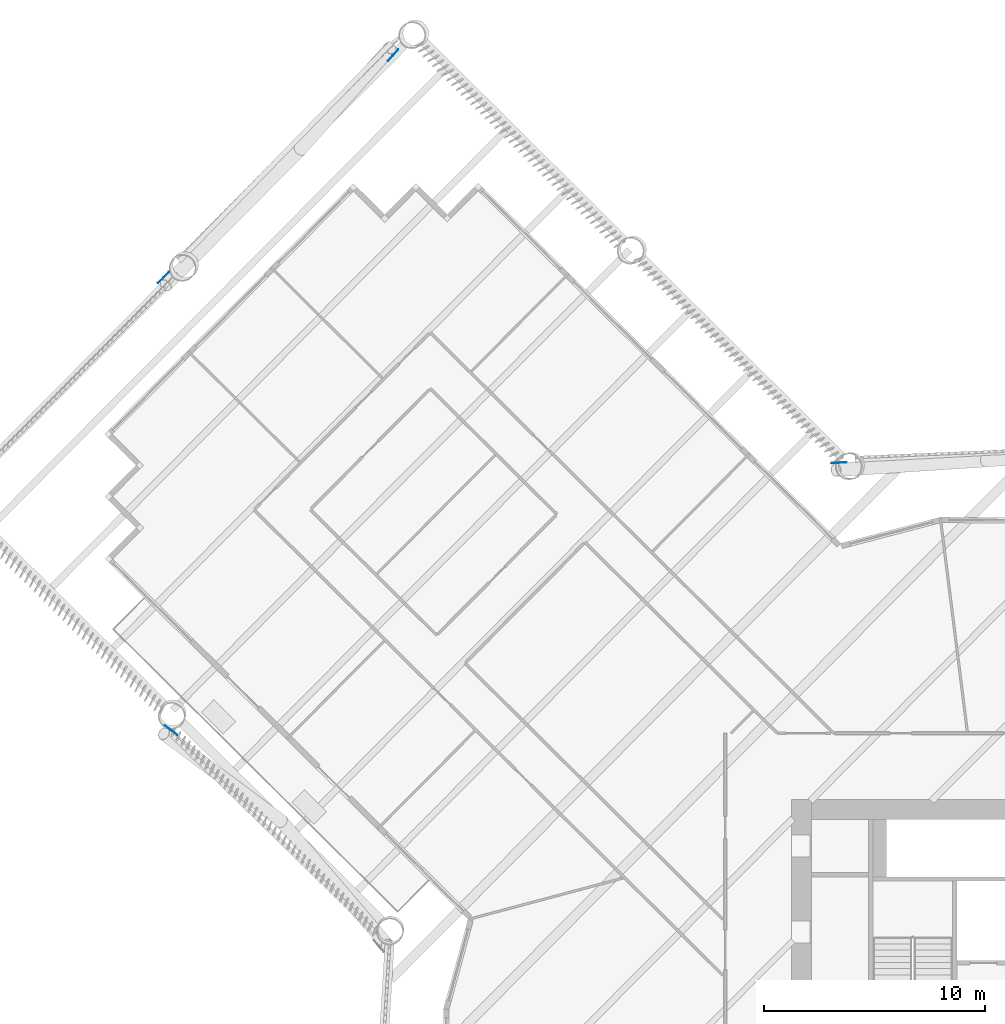
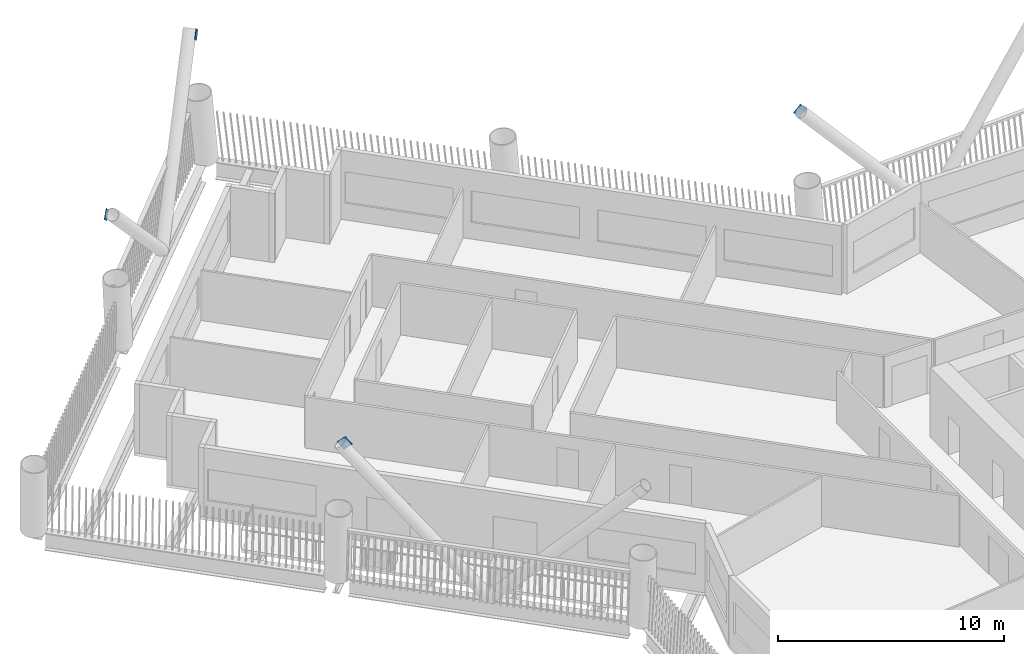
# One storey, part 13 of 22: 4 discrete accessories.
"""IFC4 building model written with IfcOpenShell, lengths in metres."""

import ifcopenshell
import ifcopenshell.guid

model = None  # the IFC model being written
_history = None  # IfcOwnerHistory: only IFC2X3 demands one
_inside = {}  # id of a spatial element -> (the spatial element, [elements in it])
_under = {}  # id of a project, library or spatial element -> (it, [spatial elements below it])
_declared = {}  # id of a project -> (the project, [libraries it declares])
_typed = {}  # id of a type object -> (the type object, [elements of that type])
_made_of = {}  # id of a material, layer set ... -> (it, [elements and type objects made of it])


def new_model(schema):
    """Start an empty IFC model of exactly this schema.

    Asked for "IFC4X3", IfcOpenShell would pick the latest addendum, in which some entities
    have other attributes; the version numbers below select the first issue.
    IFC2X3 requires an IfcOwnerHistory on every rooted entity: one is made here for all.
    """
    global model, _history
    if schema == "IFC4X3":
        model = ifcopenshell.file(schema_version=(4, 3, 0, 0))
    else:
        model = ifcopenshell.file(schema=schema)
    _inside.clear()
    _under.clear()
    _declared.clear()
    _typed.clear()
    _made_of.clear()
    _history = None
    if model.schema == "IFC2X3":
        org = make("IfcOrganization", Name="unknown")
        user = make(
            "IfcPersonAndOrganization",
            ThePerson=make("IfcPerson", FamilyName="unknown"),
            TheOrganization=org,
        )
        app = make(
            "IfcApplication",
            ApplicationDeveloper=org,
            Version="unknown",
            ApplicationFullName="unknown",
            ApplicationIdentifier="unknown",
        )
        _history = make(
            "IfcOwnerHistory",
            OwningUser=user,
            OwningApplication=app,
            ChangeAction="ADDED",
            CreationDate=0,
        )
    return model


def make(cls, **values):
    """One entity of the class cls with the attributes given. An attribute that is None is left unset."""
    return model.create_entity(
        cls, **{name: value for name, value in values.items() if value is not None}
    )


def rooted(cls, **values):
    """An entity with a GlobalId (a new one), such as an element, a storey or a relation."""
    return make(cls, GlobalId=ifcopenshell.guid.new(), OwnerHistory=_history, **values)


def si_unit(unit_type, name, prefix=None):
    """IfcSIUnit, for example si_unit("LENGTHUNIT", "METRE", prefix="MILLI")."""
    return make("IfcSIUnit", UnitType=unit_type, Prefix=prefix, Name=name)


def assignment(units):
    """IfcUnitAssignment: the units of a project."""
    return None if units is None else make("IfcUnitAssignment", Units=units)


def point(xyz):
    """IfcCartesianPoint."""
    return None if xyz is None else make("IfcCartesianPoint", Coordinates=xyz)


def direction(xyz):
    """IfcDirection."""
    return None if xyz is None else make("IfcDirection", DirectionRatios=xyz)


def frame(location, z_axis=None, x_axis=None):
    """IfcAxis2Placement3D, a coordinate frame: its origin and axes. An axis left out is left unset."""
    return make(
        "IfcAxis2Placement3D",
        Location=point(location),
        Axis=direction(z_axis),
        RefDirection=direction(x_axis),
    )


def frame_2d(location, x_axis=None):
    """IfcAxis2Placement2D, a coordinate frame in the plane: its origin and x axis."""
    return make(
        "IfcAxis2Placement2D", Location=point(location), RefDirection=direction(x_axis)
    )


def origin():
    """The frame at (0, 0, 0) with its axes left unset."""
    return frame((0.0, 0.0, 0.0))


def origin_2d():
    """The frame at (0, 0) in the plane with its x axis left unset."""
    return frame_2d((0.0, 0.0))


def place(relative_to, where):
    """IfcLocalPlacement: puts the frame where relative to a parent placement (None: the world)."""
    return make(
        "IfcLocalPlacement", PlacementRelTo=relative_to, RelativePlacement=where
    )


def context(
    kind, dimensions, precision=None, world=None, true_north=None, identifier=None
):
    """IfcGeometricRepresentationContext, for example the 3D "Model" context."""
    return make(
        "IfcGeometricRepresentationContext",
        ContextIdentifier=identifier,
        ContextType=kind,
        CoordinateSpaceDimension=dimensions,
        Precision=precision,
        WorldCoordinateSystem=world,
        TrueNorth=true_north,
    )


def subcontext(parent, identifier, kind, view, scale=None):
    """IfcGeometricRepresentationSubContext, for example "Body" below "Model"."""
    return make(
        "IfcGeometricRepresentationSubContext",
        ContextIdentifier=identifier,
        ContextType=kind,
        ParentContext=parent,
        TargetScale=scale,
        TargetView=view,
    )


def project(units=None, contexts=None):
    """IfcProject with its units and contexts."""
    return rooted(
        "IfcProject",
        Name="project",
        RepresentationContexts=contexts,
        UnitsInContext=assignment(units),
    )


def spatial(cls, under=None, at=None, **own):
    """A site, building, storey or space (cls), placed at a placement, below another one or the project."""
    s = rooted(cls, ObjectPlacement=at, **own)
    if under is not None:
        _under.setdefault(under.id(), (under, []))[1].append(s)
    return s


def profile(cls, at=None, kind="AREA", **sizes):
    """A parametric profile (cls). Its sizes go by their IFC names, for example OverallWidth=200.0."""
    return make(cls, ProfileType=kind, Position=at, **sizes)


def rectangle(**sizes):
    """IfcRectangleProfileDef."""
    return profile("IfcRectangleProfileDef", **sizes)


def extrude(swept, where, along, depth):
    """IfcExtrudedAreaSolid: the profile swept, set in the frame where, extruded along a direction by depth."""
    return make(
        "IfcExtrudedAreaSolid",
        SweptArea=swept,
        Position=where,
        ExtrudedDirection=direction(along),
        Depth=depth,
    )


def shape(context_of_items, identifier, shape_type, items):
    """IfcShapeRepresentation: the items that make up one representation, for example the "Body"."""
    return make(
        "IfcShapeRepresentation",
        ContextOfItems=context_of_items,
        RepresentationIdentifier=identifier,
        RepresentationType=shape_type,
        Items=items,
    )


def material(Name=None, Category=None):
    """IfcMaterial."""
    return make("IfcMaterial", Name=Name, Category=Category)


def material_profile(
    of_material, cross_section, Name=None, Category=None, Priority=None
):
    """IfcMaterialProfile: a cross section and its material."""
    return make(
        "IfcMaterialProfile",
        Name=Name,
        Material=of_material,
        Profile=cross_section,
        Priority=Priority,
        Category=Category,
    )


def profile_set(profiles, Name=None, composite=None):
    """IfcMaterialProfileSet."""
    return make(
        "IfcMaterialProfileSet",
        Name=Name,
        MaterialProfiles=profiles,
        CompositeProfile=composite,
    )


def made_of(thing, what):
    """Note that an element or type object is made of a material, layer set ...; save() writes the relation."""
    if what is not None:
        _made_of.setdefault(what.id(), (what, []))[1].append(thing)
    return thing


def type_object(cls, material=None, **own):
    """A type object (cls), such as IfcWallType, which elements share."""
    return made_of(rooted(cls, **own), material)


def element(
    cls,
    number,
    at=None,
    inside=None,
    cuts=None,
    type_object=None,
    material=None,
    context=None,
    identifier="Body",
    shape_type=None,
    held_by="IfcProductDefinitionShape",
    body=None,
    shapes=None,
    **own,
):
    """One element of the class cls, such as IfcWall. Its Tag is "e" and its number.

    at: its placement. inside: the storey or other place that contains it. cuts: it is an
    opening in that element (IfcRelVoidsElement). A single representation is given by context,
    identifier, shape_type and body (its items); several are given by shapes. held_by: the class
    of the entity that holds the representations. save() writes the other relations.
    """
    e = rooted(cls, Tag="e%d" % number, ObjectPlacement=at, **own)
    if body is not None:
        shapes = [shape(context, identifier, shape_type, body)]
    if shapes is not None:
        e.Representation = make(held_by, Representations=shapes)
    if inside is not None:
        _inside.setdefault(inside.id(), (inside, []))[1].append(e)
    if cuts is not None:
        rooted(
            "IfcRelVoidsElement", RelatingBuildingElement=cuts, RelatedOpeningElement=e
        )
    if type_object is not None:
        _typed.setdefault(type_object.id(), (type_object, []))[1].append(e)
    return made_of(e, material)


def aggregate(whole, parts):
    """IfcRelAggregates: a whole, such as a stair, and the parts it consists of."""
    return rooted("IfcRelAggregates", RelatingObject=whole, RelatedObjects=parts)


def save(model, path):
    """Write the relations noted so far, then the file.

    IfcRelAggregates (storeys below a building ...), IfcRelContainedInSpatialStructure (elements
    in a storey), IfcRelDefinesByType, IfcRelAssociatesMaterial and IfcRelDeclares: one each for
    every whole, place, type object, material and project.
    """
    for whole, parts in _under.values():
        aggregate(whole, parts)
    for where, things in _inside.values():
        rooted(
            "IfcRelContainedInSpatialStructure",
            RelatedElements=things,
            RelatingStructure=where,
        )
    for kind, things in _typed.values():
        rooted("IfcRelDefinesByType", RelatedObjects=things, RelatingType=kind)
    for what, things in _made_of.values():
        rooted("IfcRelAssociatesMaterial", RelatedObjects=things, RelatingMaterial=what)
    for by, libraries in _declared.values():
        rooted("IfcRelDeclares", RelatingContext=by, RelatedDefinitions=libraries)
    model.write(path)


model = new_model("IFC4")

# Units and contexts
model_context = context("Model", 3, precision=1e-05, world=origin(), true_north=direction((0.0, 1.0)))
body_context = subcontext(model_context, "Body", "Model", "MODEL_VIEW")
ifc_project = project(units=[si_unit("LENGTHUNIT", "METRE"), si_unit("AREAUNIT", "SQUARE_METRE"), si_unit("VOLUMEUNIT", "CUBIC_METRE"), si_unit("PLANEANGLEUNIT", "RADIAN"), si_unit("MASSUNIT", "GRAM", prefix="KILO")], contexts=[model_context])

# Site, building, storey
site_placement = place(None, origin())
site = spatial("IfcSite", under=ifc_project, at=site_placement, CompositionType="ELEMENT")
building_placement = place(site_placement, origin())
building = spatial("IfcBuilding", under=site, at=building_placement, Name="Tarsis Ring Headquarters", CompositionType="ELEMENT")
storey_placement = place(building_placement, frame((0.0, 0.0, 79.0)))
storey = spatial("IfcBuildingStorey", under=building, at=storey_placement, Name="L17", CompositionType="ELEMENT", Elevation=79.0)

# Discrete accessories
ifc_material = material(Name="Structural steel S355", Category="steel")
ifc_material_profile = material_profile(ifc_material, rectangle(XDim=0.02490234375, YDim=0.5, at=origin_2d()), Name="PL 25x500")
ifc_profile_set = profile_set([ifc_material_profile], Name="Structural steel S355")
discrete_accessory_type = type_object("IfcDiscreteAccessoryType", Name="Gusset plate Exo brace 25", PredefinedType="BRACKET", material=ifc_profile_set)
for number, where, z_axis, x_axis, name in (
    (1, (-8.0029296875, 28.246826171875, 7.800048828125), (0.656214798839, 0.042478190103, -0.753377555513), (-0.064596945651, 0.997911436257, 0.0), "Gusset plate GP5"),
    (2, (-38.575927734375, 36.514892578125, 7.800048828125), (0.522926715316, 0.528297577939, -0.668916526595), (-0.710710219893, 0.70348488494, 0.0), "Gusset plate GP5"),
    (3, (-27.940673828125, 46.83056640625, 7.800048828125), (-0.410238808727, -0.462007039352, -0.78629105006), (0.747758100356, -0.663971251902, 0.0), "Gusset plate GP5"),
    (4, (-38.235595703125, 16.240478515625, 7.800048828125), (0.519611223902, -0.387754992273, -0.761347648556), (0.598069970998, 0.801443890607, 0.0), "Gusset plate GP5"),
):
    element("IfcDiscreteAccessory", number, at=place(storey_placement, frame(where, z_axis=z_axis, x_axis=x_axis)), inside=storey, type_object=discrete_accessory_type, Name=name, PredefinedType="BRACKET", context=body_context, shape_type="SweptSolid", body=[
        extrude(rectangle(XDim=0.02490234375, YDim=0.5, at=origin_2d()), origin(), (0.0, 0.0, 1.0), 0.5),
    ])

save(model, "model.ifc")
